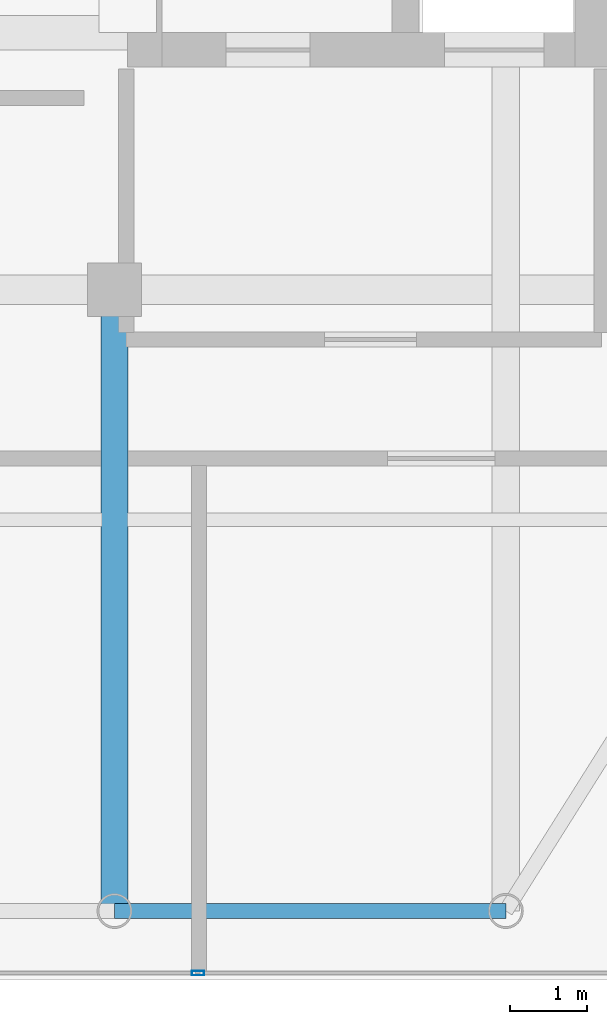
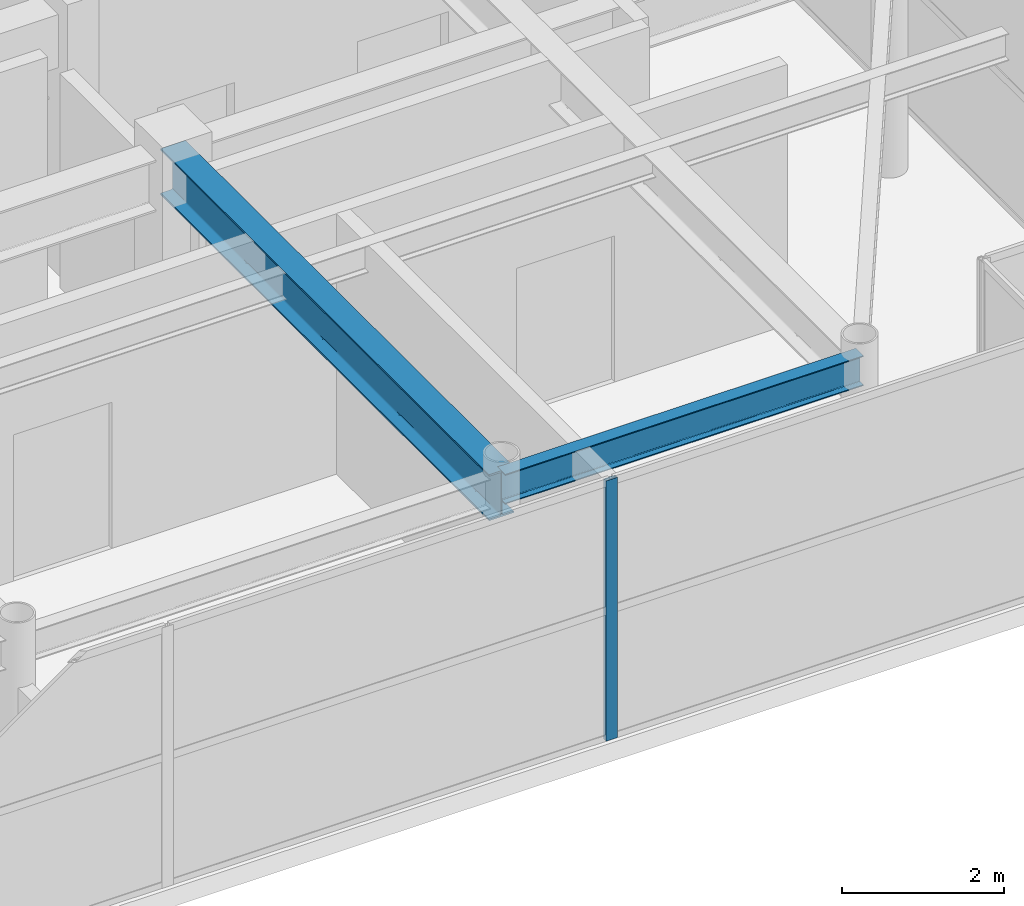
# One storey, part 9 of 32: 2 beams, 1 member, 1 element without a shape of its own.
"""IFC4 building model written with IfcOpenShell, lengths in metres."""

from ifc_helpers import new_model, si_unit, direction, frame, origin, origin_2d, place, context, subcontext, project, spatial, hollow_rectangle, i_section, extrude, source, transform, mapped, material, layer, layer_set, material_profile, profile_set, type_object, element, aggregate, save


model = new_model("IFC4")

# Units and contexts
model_context = context("Model", 3, precision=1e-05, world=origin(), true_north=direction((0.0, 1.0)))
body_context = subcontext(model_context, "Body", "Model", "MODEL_VIEW")
ifc_project = project(units=[si_unit("LENGTHUNIT", "METRE"), si_unit("AREAUNIT", "SQUARE_METRE"), si_unit("VOLUMEUNIT", "CUBIC_METRE"), si_unit("PLANEANGLEUNIT", "RADIAN"), si_unit("MASSUNIT", "GRAM", prefix="KILO")], contexts=[model_context])

# Site, building, storey
site_placement = place(None, origin())
site = spatial("IfcSite", under=ifc_project, at=site_placement, CompositionType="ELEMENT")
building_placement = place(site_placement, origin())
building = spatial("IfcBuilding", under=site, at=building_placement, Name="Khoralis Quay Care Tower", CompositionType="ELEMENT")
storey_placement = place(building_placement, frame((0.0, 0.0, 310.5)))
storey = spatial("IfcBuildingStorey", under=building, at=storey_placement, Name="L81", CompositionType="ELEMENT", Elevation=310.5)

# Beams
ifc_material_1 = material(Name="Steel S355", Category="steel")
ifc_material_profile_1 = material_profile(ifc_material_1, i_section(OverallWidth=0.18994140625, OverallDepth=0.449951171875, WebThickness=0.009521484375, FlangeThickness=0.0146484375, FilletRadius=0.02099609375, at=origin_2d()), Name="Steel S355")
ifc_profile_set_1 = profile_set([ifc_material_profile_1], Name="Steel S355")
beam_type_1 = type_object("IfcBeamType", Name="BM-IPE450", PredefinedType="SPANDREL", material=ifc_profile_set_1)
shared_shape_1 = source(origin(), body_context, "Body", "SweptSolid", [
    extrude(i_section(OverallWidth=0.18994140625, OverallDepth=0.449951171875, WebThickness=0.009521484375, FlangeThickness=0.0146484375, FilletRadius=0.02099609375, at=origin_2d()), origin(), (0.0, 0.0, 1.0), 5.10009765625),
])
beam_1_placement = place(storey_placement, frame((30.89990234375, 3.89990234375, 3.695068359375), z_axis=(1.0, 0.0, 0.0), x_axis=(0.0, 1.0, 0.0)))
element("IfcBeam", 1, at=beam_1_placement, inside=storey, type_object=beam_type_1, Name="BM-TSP-L81-04", PredefinedType="SPANDREL", context=body_context, shape_type="MappedRepresentation", body=[
    mapped(shared_shape_1, transform((0.0, 0.0, 0.0), scale=1.0)),
])
ifc_material_profile_2 = material_profile(ifc_material_1, i_section(OverallWidth=0.35498046875, OverallDepth=0.695068359375, WebThickness=0.015380859375, FlangeThickness=0.02490234375, FilletRadius=0.02001953125, at=origin_2d()), Name="Steel S355")
ifc_profile_set_2 = profile_set([ifc_material_profile_2], Name="Steel S355")
beam_type_2 = type_object("IfcBeamType", Name="BM-W690X217", PredefinedType="BEAM", material=ifc_profile_set_2)
shared_shape_2 = source(origin(), body_context, "Body", "SweptSolid", [
    extrude(i_section(OverallWidth=0.35498046875, OverallDepth=0.695068359375, WebThickness=0.015380859375, FlangeThickness=0.02490234375, FilletRadius=0.02001953125, at=origin_2d()), origin(), (0.0, 0.0, 1.0), 8.10009765625),
])
beam_2_placement = place(storey_placement, frame((30.89990234375, 3.89990234375, 3.572509765625), z_axis=(0.0, 1.0, 0.0), x_axis=(-1.0, 0.0, 0.0)))
element("IfcBeam", 2, at=beam_2_placement, inside=storey, type_object=beam_type_2, Name="BM-TGYS-L81-309", PredefinedType="BEAM", context=body_context, shape_type="MappedRepresentation", body=[
    mapped(shared_shape_2, transform((0.0, 0.0, 0.0), scale=1.0)),
])

# Curtain wall, member
ifc_material_2 = material(Name="Pale anodised aluminium", Category="aluminium")
ifc_layer = layer(ifc_material_2, 0.199951171875)
ifc_layer_set = layer_set([ifc_layer], Name="Pale anodised aluminium")
curtain_wall_type = type_object("IfcCurtainWallType", Name="CW-SYS-LANTERN", PredefinedType="NOTDEFINED", material=ifc_layer_set)
curtain_wall_placement = place(storey_placement, origin())
curtain_wall = element("IfcCurtainWall", 3, at=curtain_wall_placement, inside=storey, type_object=curtain_wall_type, Name="L81 Unitised Curtain Wall CW-LN-L81-01", PredefinedType="NOTDEFINED")
ifc_material_profile_3 = material_profile(ifc_material_2, hollow_rectangle(XDim=0.06005859375, YDim=0.159912109375, WallThickness=0.00390625, at=origin_2d()), Name="Pale anodised aluminium")
ifc_profile_set_3 = profile_set([ifc_material_profile_3], Name="Pale anodised aluminium")
member_type = type_object("IfcMemberType", Name="CW-MUL-160", PredefinedType="MULLION", material=ifc_profile_set_3)
shared_shape_3 = source(origin(), body_context, "Body", "SweptSolid", [
    extrude(hollow_rectangle(XDim=0.06005859375, YDim=0.159912109375, WallThickness=0.00390625, at=origin_2d()), origin(), (0.0, 0.0, 1.0), 3.919921875),
])
member_placement = place(storey_placement, frame((31.986083984375, 3.090087890625, 0.0), z_axis=(0.0, 0.0, 1.0), x_axis=(0.0, 1.0, 0.0)))
member = element("IfcMember", 4, at=member_placement, type_object=member_type, Name="CW5 mullion 5", PredefinedType="MULLION", context=body_context, shape_type="MappedRepresentation", body=[
    mapped(shared_shape_3, transform((0.0, 0.0, 0.0), scale=1.0)),
])
aggregate(curtain_wall, [member])

save(model, "model.ifc")
